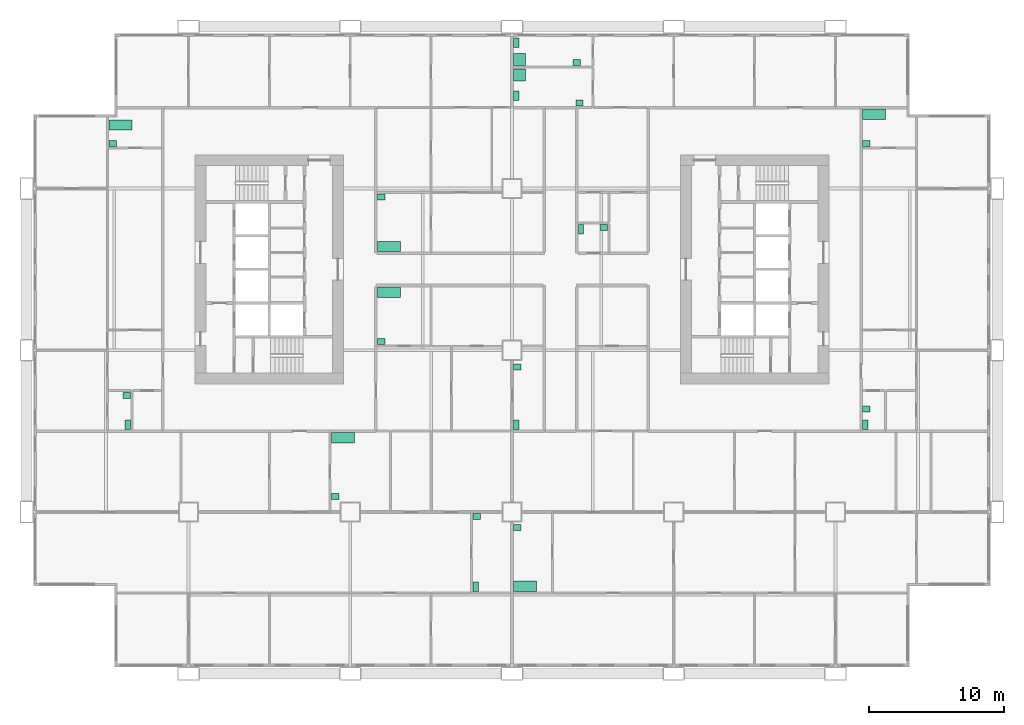
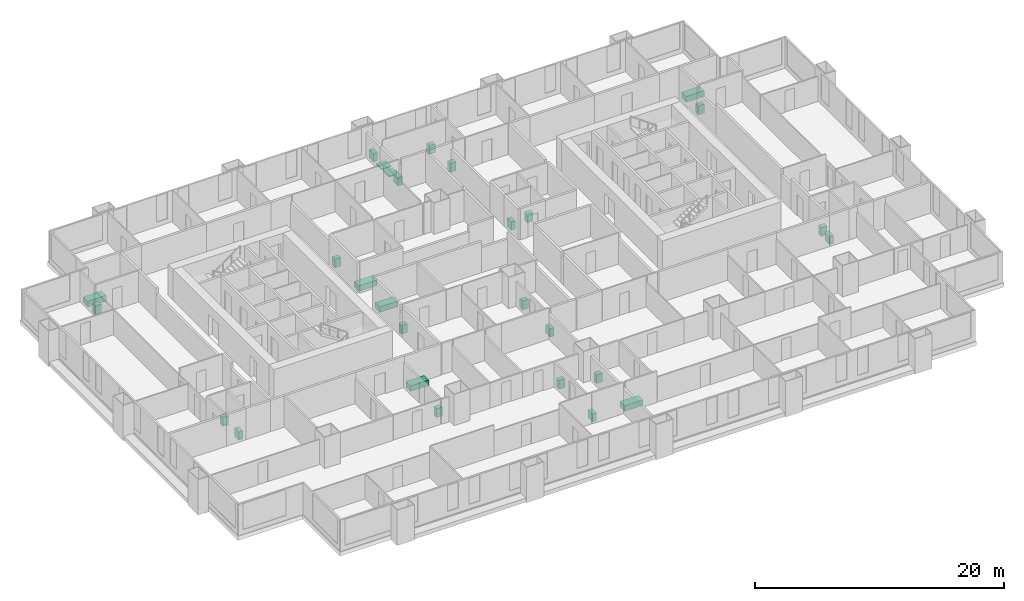
# One storey, part 14 of 14: 28 sanitary terminals.
"""IFC4 building model written with IfcOpenShell, lengths in metres."""

from ifc_helpers import new_model, si_unit, direction, frame, origin, origin_2d, place, context, subcontext, project, spatial, rectangle, extrude, material, type_object, element, save


model = new_model("IFC4")

# Units and contexts
model_context = context("Model", 3, precision=1e-05, world=origin(), true_north=direction((0.0, 1.0)))
body_context = subcontext(model_context, "Body", "Model", "MODEL_VIEW")
ifc_project = project(units=[si_unit("LENGTHUNIT", "METRE"), si_unit("AREAUNIT", "SQUARE_METRE"), si_unit("VOLUMEUNIT", "CUBIC_METRE"), si_unit("PLANEANGLEUNIT", "RADIAN"), si_unit("MASSUNIT", "GRAM", prefix="KILO")], contexts=[model_context])

# Site, building, storey
site_placement = place(None, origin())
site = spatial("IfcSite", under=ifc_project, at=site_placement, CompositionType="ELEMENT")
building_placement = place(site_placement, origin())
building = spatial("IfcBuilding", under=site, at=building_placement, Name="Kitamizu Gate Tower and Museum", CompositionType="ELEMENT")
storey_placement = place(building_placement, frame((0.0, 0.0, 74.85009765625)))
storey = spatial("IfcBuildingStorey", under=building, at=storey_placement, Name="L18", CompositionType="ELEMENT", Elevation=74.85009765625)

# Sanitary terminals
ifc_material_1 = material(Name="Acrylic")
sanitary_terminal_type_1 = type_object("IfcSanitaryTerminalType", Name="Bath", PredefinedType="BATH", material=ifc_material_1)
for number, where, z_axis, x_axis, name in (
    (1, (23.469970703125, 17.5048828125, 0.0009765625), (0.0, 0.0, 1.0), (1.0, 0.0, 0.0), "Bath Bathroom 18A"),
    (2, (26.8701171875, 28.304931640625, 0.0009765625), (0.0, 0.0, 1.0), (1.0, 0.0, 0.0), "Bath Bathroom 18A"),
    (3, (6.969970703125, 40.705078125, 0.0009765625), (0.0, 0.0, 1.0), (1.0, 0.0, 0.0), "Bath Bathroom 18B"),
    (4, (36.969970703125, 6.4951171875, 0.0009765625), (0.0, 0.0, 1.0), (1.0, 0.0, 0.0), "Bath Bathroom and WC 18C"),
    (5, (62.8701171875, 41.5048828125, 0.0009765625), (0.0, 0.0, 1.0), (1.0, 0.0, 0.0), "Bath Bathroom 18D"),
    (6, (26.8701171875, 31.695068359375, 0.0009765625), (0.0, 0.0, 1.0), (1.0, 0.0, 0.0), "Bath Bathroom and WC 18E"),
):
    element("IfcSanitaryTerminal", number, at=place(storey_placement, frame(where, z_axis=z_axis, x_axis=x_axis)), inside=storey, type_object=sanitary_terminal_type_1, Name=name, PredefinedType="BATH", context=body_context, shape_type="SweptSolid", body=[
        extrude(rectangle(XDim=1.699951171875, YDim=0.75, at=origin_2d()), origin(), (0.0, 0.0, 1.0), 0.550048828125),
    ])
ifc_material_2 = material(Name="Acrylic")
sanitary_terminal_type_2 = type_object("IfcSanitaryTerminalType", Name="Shower tray", PredefinedType="SHOWER", material=ifc_material_2)
for number, where, z_axis, x_axis, name in (
    (7, (36.570068359375, 44.429931640625, 0.000732421875), (0.0, 0.0, 1.0), (1.0, 0.0, 0.0), "Shower tray En-suite bathroom 18F"),
    (8, (36.570068359375, 45.570068359375, 0.000732421875), (0.0, 0.0, 1.0), (1.0, 0.0, 0.0), "Shower tray En-suite bathroom 18F"),
):
    element("IfcSanitaryTerminal", number, at=place(storey_placement, frame(where, z_axis=z_axis, x_axis=x_axis)), inside=storey, type_object=sanitary_terminal_type_2, Name=name, PredefinedType="SHOWER", context=body_context, shape_type="SweptSolid", body=[
        extrude(rectangle(XDim=0.89990234375, YDim=0.89990234375, at=origin_2d()), origin(), (0.0, 0.0, 1.0), 0.10009765625),
    ])
ifc_material_3 = material(Name="Vitreous china")
sanitary_terminal_type_3 = type_object("IfcSanitaryTerminalType", Name="Wash hand basin", PredefinedType="WASHHANDBASIN", material=ifc_material_3)
for number, where, z_axis, x_axis, name in (
    (9, (33.39501953125, 11.655029296875, 0.000732421875), (0.0, 0.0, 1.0), (1.0, 0.0, 0.0), "Wash hand basin WC 18A"),
    (10, (22.89501953125, 13.14501953125, 0.000732421875), (0.0, 0.0, 1.0), (1.0, 0.0, 0.0), "Wash hand basin Bathroom 18A"),
    (11, (36.39501953125, 22.7548828125, 0.000732421875), (0.0, 0.0, 1.0), (1.0, 0.0, 0.0), "Wash hand basin WC 18A"),
    (12, (26.294921875, 24.64501953125, 0.000732421875), (0.0, 0.0, 1.0), (1.0, 0.0, 0.0), "Wash hand basin Bathroom 18A"),
    (13, (7.405029296875, 20.655029296875, 0.000732421875), (0.0, 0.0, 1.0), (1.0, 0.0, 0.0), "Wash hand basin WC 18B"),
    (14, (6.39501953125, 39.344970703125, 0.000732421875), (0.0, 0.0, 1.0), (1.0, 0.0, 0.0), "Wash hand basin Bathroom 18B"),
    (15, (36.39501953125, 10.85498046875, 0.000732421875), (0.0, 0.0, 1.0), (1.0, 0.0, 0.0), "Wash hand basin Bathroom and WC 18C"),
    (16, (62.294921875, 19.655029296875, 0.000732421875), (0.0, 0.0, 1.0), (1.0, 0.0, 0.0), "Wash hand basin WC 18D"),
    (17, (62.294921875, 39.344970703125, 0.000732421875), (0.0, 0.0, 1.0), (1.0, 0.0, 0.0), "Wash hand basin Bathroom 18D"),
    (18, (26.294921875, 35.35498046875, 0.000732421875), (0.0, 0.0, 1.0), (1.0, 0.0, 0.0), "Wash hand basin Bathroom and WC 18E"),
    (19, (41.0048828125, 42.344970703125, 0.000732421875), (0.0, 0.0, 1.0), (1.0, 0.0, 0.0), "Wash hand basin En-suite bathroom 18F"),
    (20, (40.804931640625, 45.344970703125, 0.000732421875), (0.0, 0.0, 1.0), (1.0, 0.0, 0.0), "Wash hand basin En-suite bathroom 18F"),
    (21, (42.804931640625, 33.10498046875, 0.000732421875), (0.0, 0.0, 1.0), (1.0, 0.0, 0.0), "Wash hand basin WC 18F"),
):
    element("IfcSanitaryTerminal", number, at=place(storey_placement, frame(where, z_axis=z_axis, x_axis=x_axis)), inside=storey, type_object=sanitary_terminal_type_3, Name=name, PredefinedType="WASHHANDBASIN", context=body_context, shape_type="SweptSolid", body=[
        extrude(rectangle(XDim=0.550048828125, YDim=0.449951171875, at=origin_2d()), origin(), (0.0, 0.0, 1.0), 0.85009765625),
    ])
ifc_material_4 = material(Name="Vitreous china")
sanitary_terminal_type_4 = type_object("IfcSanitaryTerminalType", Name="Water closet", PredefinedType="TOILETPAN", material=ifc_material_4)
for number, where, z_axis, x_axis, name in (
    (22, (33.320068359375, 6.469970703125, 0.0009765625), (0.0, 0.0, 1.0), (1.0, 0.0, 0.0), "Water closet WC 18A"),
    (23, (36.320068359375, 18.469970703125, 0.0009765625), (0.0, 0.0, 1.0), (1.0, 0.0, 0.0), "Water closet WC 18A"),
    (24, (7.47998046875, 18.469970703125, 0.0009765625), (0.0, 0.0, 1.0), (1.0, 0.0, 0.0), "Water closet WC 18B"),
    (25, (62.219970703125, 18.469970703125, 0.0009765625), (0.0, 0.0, 1.0), (1.0, 0.0, 0.0), "Water closet WC 18D"),
    (26, (36.320068359375, 42.8701171875, 0.0009765625), (0.0, 0.0, 1.0), (1.0, 0.0, 0.0), "Water closet En-suite bathroom 18F"),
    (27, (36.320068359375, 46.81005859375, 0.0009765625), (0.0, 0.0, 1.0), (1.0, 0.0, 0.0), "Water closet En-suite bathroom 18F"),
    (28, (41.1201171875, 32.97998046875, 0.0009765625), (0.0, 0.0, 1.0), (1.0, 0.0, 0.0), "Water closet WC 18F"),
):
    element("IfcSanitaryTerminal", number, at=place(storey_placement, frame(where, z_axis=z_axis, x_axis=x_axis)), inside=storey, type_object=sanitary_terminal_type_4, Name=name, PredefinedType="TOILETPAN", context=body_context, shape_type="SweptSolid", body=[
        extrude(rectangle(XDim=0.39990234375, YDim=0.699951171875, at=origin_2d()), origin(), (0.0, 0.0, 1.0), 0.800048828125),
    ])

save(model, "model.ifc")
